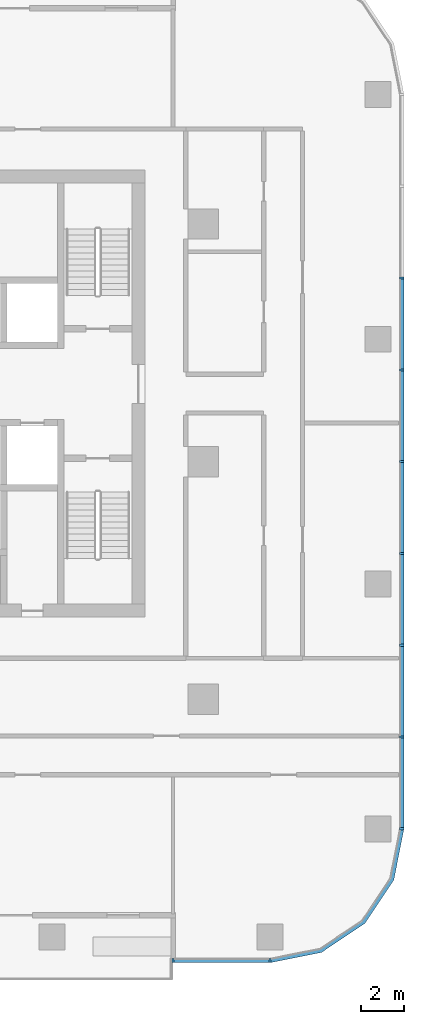
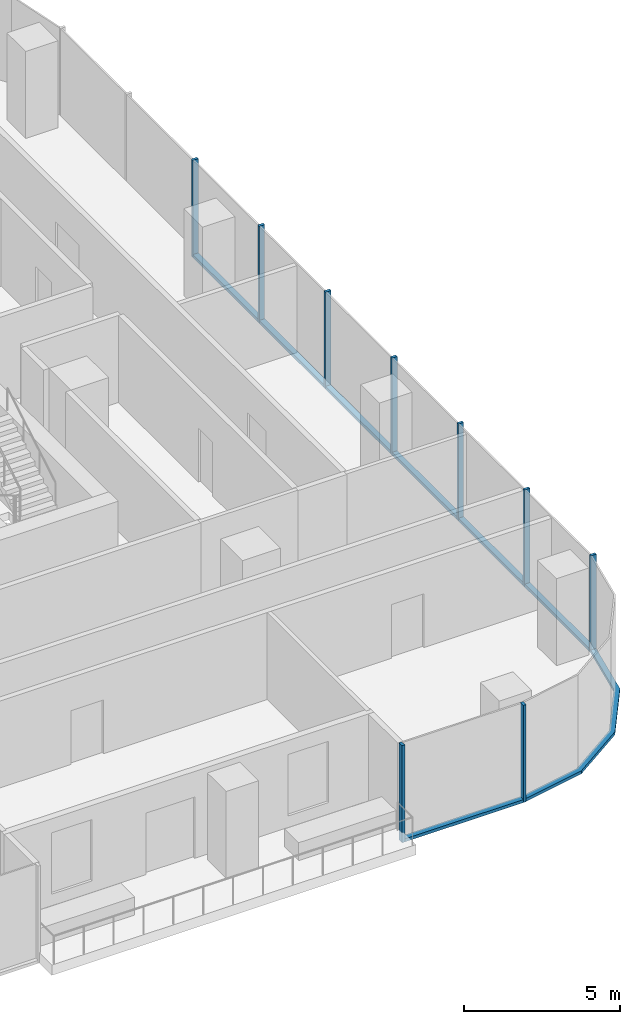
# One storey, part 3 of 14: 17 members, 3 elements without a shape of their own.
"""IFC4 building model written with IfcOpenShell, lengths in metres."""

from ifc_helpers import new_model, si_unit, direction, frame, origin, origin_2d, place, context, subcontext, project, spatial, polyline, rectangle, outline, extrude, material, material_profile, profile_set, type_object, element, aggregate, save


model = new_model("IFC4")

# Units and contexts
model_context = context("Model", 3, precision=1e-05, world=origin(), true_north=direction((0.0, 1.0)))
body_context = subcontext(model_context, "Body", "Model", "MODEL_VIEW")
ifc_project = project(units=[si_unit("LENGTHUNIT", "METRE"), si_unit("AREAUNIT", "SQUARE_METRE"), si_unit("VOLUMEUNIT", "CUBIC_METRE"), si_unit("PLANEANGLEUNIT", "RADIAN"), si_unit("MASSUNIT", "GRAM", prefix="KILO")], contexts=[model_context])

# Site, building, storey
site_placement = place(None, origin())
site = spatial("IfcSite", under=ifc_project, at=site_placement, CompositionType="ELEMENT")
building_placement = place(site_placement, origin())
building = spatial("IfcBuilding", under=site, at=building_placement, Name="Mopane Tessera Tower", CompositionType="ELEMENT")
storey_placement = place(building_placement, frame((0.0, 0.0, 201.0)))
storey = spatial("IfcBuildingStorey", under=building, at=storey_placement, Name="L42", CompositionType="ELEMENT", Elevation=201.0)

# Curtain wall, members
ifc_material_1 = material(Name="Aluminium frame", Category="aluminium")
curtain_wall_type = type_object("IfcCurtainWallType", Name="Unitised curtain wall", PredefinedType="NOTDEFINED", material=ifc_material_1)
curtain_wall_1_placement = place(storey_placement, origin())
curtain_wall_1 = element("IfcCurtainWall", 1, at=curtain_wall_1_placement, inside=storey, type_object=curtain_wall_type, Name="e:cw:L42:S:8", PredefinedType="NOTDEFINED")
ifc_material_2 = material(Name="Aluminium frame", Category="aluminium")
ifc_material_profile_1 = material_profile(ifc_material_2, rectangle(XDim=0.10009765625, YDim=0.199951171875, at=origin_2d()))
ifc_profile_set_1 = profile_set([ifc_material_profile_1], Name="Aluminium frame")
member_type_1 = type_object("IfcMemberType", Name="Aluminium mullion 100 x 200", PredefinedType="MULLION", material=ifc_profile_set_1)
member_1_placement = place(storey_placement, frame((15.711181640625, -23.10009765625, -0.39990234375), z_axis=(0.0, 0.0, 1.0), x_axis=(1.0, 0.0, 0.0)))
member_1 = element("IfcMember", 2, at=member_1_placement, type_object=member_type_1, Name="e:cw:L42:S:8:mu8", PredefinedType="MULLION", context=body_context, shape_type="SweptSolid", body=[
    extrude(rectangle(XDim=0.10009765625, YDim=0.199951171875, at=origin_2d()), origin(), (0.0, 0.0, 1.0), 3.7998046875),
])
member_2_placement = place(storey_placement, frame((20.199951171875, -23.10009765625, -0.39990234375), z_axis=(0.0, 0.0, 1.0), x_axis=(1.0, 0.0, 0.0)))
member_2 = element("IfcMember", 3, at=member_2_placement, type_object=member_type_1, Name="e:cw:L42:S:8:mu9", PredefinedType="MULLION", context=body_context, shape_type="SweptSolid", body=[
    extrude(rectangle(XDim=0.10009765625, YDim=0.199951171875, at=origin_2d()), origin(), (0.0, 0.0, 1.0), 3.7998046875),
])

curtain_wall_2_placement = place(storey_placement, origin())
curtain_wall_2 = element("IfcCurtainWall", 4, at=curtain_wall_2_placement, inside=storey, type_object=curtain_wall_type, Name="e:cw:L42:E:0", PredefinedType="NOTDEFINED")
member_3_placement = place(storey_placement, frame((26.300048828125, -17.0, -0.39990234375), z_axis=(0.0, 0.0, 1.0), x_axis=(0.0, 1.0, 0.0)))
member_3 = element("IfcMember", 5, at=member_3_placement, type_object=member_type_1, Name="e:cw:L42:E:0:mu0", PredefinedType="MULLION", context=body_context, shape_type="SweptSolid", body=[
    extrude(rectangle(XDim=0.10009765625, YDim=0.199951171875, at=origin_2d()), origin(), (0.0, 0.0, 1.0), 3.7998046875),
])
member_4_placement = place(storey_placement, frame((26.300048828125, -12.75, -0.39990234375), z_axis=(0.0, 0.0, 1.0), x_axis=(0.0, 1.0, 0.0)))
member_4 = element("IfcMember", 6, at=member_4_placement, type_object=member_type_1, Name="e:cw:L42:E:0:mu1", PredefinedType="MULLION", context=body_context, shape_type="SweptSolid", body=[
    extrude(rectangle(XDim=0.10009765625, YDim=0.199951171875, at=origin_2d()), origin(), (0.0, 0.0, 1.0), 3.7998046875),
])
member_5_placement = place(storey_placement, frame((26.300048828125, -8.5, -0.39990234375), z_axis=(0.0, 0.0, 1.0), x_axis=(0.0, 1.0, 0.0)))
member_5 = element("IfcMember", 7, at=member_5_placement, type_object=member_type_1, Name="e:cw:L42:E:0:mu2", PredefinedType="MULLION", context=body_context, shape_type="SweptSolid", body=[
    extrude(rectangle(XDim=0.10009765625, YDim=0.199951171875, at=origin_2d()), origin(), (0.0, 0.0, 1.0), 3.7998046875),
])
member_6_placement = place(storey_placement, frame((26.300048828125, -4.25, -0.39990234375), z_axis=(0.0, 0.0, 1.0), x_axis=(0.0, 1.0, 0.0)))
member_6 = element("IfcMember", 8, at=member_6_placement, type_object=member_type_1, Name="e:cw:L42:E:0:mu3", PredefinedType="MULLION", context=body_context, shape_type="SweptSolid", body=[
    extrude(rectangle(XDim=0.10009765625, YDim=0.199951171875, at=origin_2d()), origin(), (0.0, 0.0, 1.0), 3.7998046875),
])
member_7_placement = place(storey_placement, frame((26.300048828125, 0.0, -0.39990234375), z_axis=(0.0, 0.0, 1.0), x_axis=(0.0, 1.0, 0.0)))
member_7 = element("IfcMember", 9, at=member_7_placement, type_object=member_type_1, Name="e:cw:L42:E:0:mu4", PredefinedType="MULLION", context=body_context, shape_type="SweptSolid", body=[
    extrude(rectangle(XDim=0.10009765625, YDim=0.199951171875, at=origin_2d()), origin(), (0.0, 0.0, 1.0), 3.7998046875),
])
member_8_placement = place(storey_placement, frame((26.300048828125, 4.25, -0.39990234375), z_axis=(0.0, 0.0, 1.0), x_axis=(0.0, 1.0, 0.0)))
member_8 = element("IfcMember", 10, at=member_8_placement, type_object=member_type_1, Name="e:cw:L42:E:0:mu5", PredefinedType="MULLION", context=body_context, shape_type="SweptSolid", body=[
    extrude(rectangle(XDim=0.10009765625, YDim=0.199951171875, at=origin_2d()), origin(), (0.0, 0.0, 1.0), 3.7998046875),
])
member_9_placement = place(storey_placement, frame((26.300048828125, 8.5, -0.39990234375), z_axis=(0.0, 0.0, 1.0), x_axis=(0.0, 1.0, 0.0)))
member_9 = element("IfcMember", 11, at=member_9_placement, type_object=member_type_1, Name="e:cw:L42:E:0:mu6", PredefinedType="MULLION", context=body_context, shape_type="SweptSolid", body=[
    extrude(rectangle(XDim=0.10009765625, YDim=0.199951171875, at=origin_2d()), origin(), (0.0, 0.0, 1.0), 3.7998046875),
])

# Member
ifc_material_3 = material(Name="Aluminium frame", Category="aluminium")
ifc_material_profile_2 = material_profile(ifc_material_3, rectangle(XDim=0.199951171875, YDim=0.1201171875, at=origin_2d()))
ifc_profile_set_2 = profile_set([ifc_material_profile_2], Name="Aluminium frame")
member_type_2 = type_object("IfcMemberType", Name="Aluminium transom 200 x 120", PredefinedType="USERDEFINED", material=ifc_profile_set_2)
member_10_placement = place(storey_placement, frame((15.76123046875, -23.10009765625, -0.340087890625), z_axis=(1.0, 0.0, 0.0), x_axis=(0.0, 1.0, 0.0)))
member_10 = element("IfcMember", 12, at=member_10_placement, type_object=member_type_2, Name="e:cw:L42:S:8:tr8", ObjectType="TRANSOM", PredefinedType="USERDEFINED", context=body_context, shape_type="SweptSolid", body=[
    extrude(rectangle(XDim=0.199951171875, YDim=0.1201171875, at=origin_2d()), origin(), (0.0, 0.0, 1.0), 4.388671875),
])

aggregate(curtain_wall_1, [member_1, member_2, member_10])

# Curtain wall, member
curtain_wall_3_placement = place(storey_placement, origin())
curtain_wall_3 = element("IfcCurtainWall", 13, at=curtain_wall_3_placement, inside=storey, type_object=curtain_wall_type, Name="e:cw:L42:CS", PredefinedType="NOTDEFINED")
member_11_placement = place(storey_placement, frame((0.0, 0.0, -0.39990234375)))
member_11 = element("IfcMember", 14, at=member_11_placement, type_object=member_type_2, Name="e:cw:L42:CS:tr", ObjectType="TRANSOM", PredefinedType="USERDEFINED", context=body_context, shape_type="SweptSolid", body=[
    extrude(outline(polyline([(20.199951171875, -23.0), (22.49609375, -22.543212890625), (24.442626953125, -21.24267578125), (25.7431640625, -19.296142578125), (26.199951171875, -17.0), (26.39990234375, -17.0), (25.927978515625, -19.37255859375), (24.583984375, -21.384033203125), (22.57275390625, -22.72802734375), (20.199951171875, -23.199951171875), (20.199951171875, -23.0)])), origin(), (0.0, 0.0, 1.0), 0.119873046875),
])
aggregate(curtain_wall_3, [member_11])

# Member
member_12_placement = place(storey_placement, frame((26.300048828125, -16.949951171875, -0.340087890625), z_axis=(0.0, 1.0, 0.0), x_axis=(-1.0, 0.0, 0.0)))
member_12 = element("IfcMember", 15, at=member_12_placement, type_object=member_type_2, Name="e:cw:L42:E:0:tr0", ObjectType="TRANSOM", PredefinedType="USERDEFINED", context=body_context, shape_type="SweptSolid", body=[
    extrude(rectangle(XDim=0.199951171875, YDim=0.1201171875, at=origin_2d()), origin(), (0.0, 0.0, 1.0), 4.14990234375),
])

member_13_placement = place(storey_placement, frame((26.300048828125, -12.699951171875, -0.340087890625), z_axis=(0.0, 1.0, 0.0), x_axis=(-1.0, 0.0, 0.0)))
member_13 = element("IfcMember", 16, at=member_13_placement, type_object=member_type_2, Name="e:cw:L42:E:0:tr1", ObjectType="TRANSOM", PredefinedType="USERDEFINED", context=body_context, shape_type="SweptSolid", body=[
    extrude(rectangle(XDim=0.199951171875, YDim=0.1201171875, at=origin_2d()), origin(), (0.0, 0.0, 1.0), 4.14990234375),
])

member_14_placement = place(storey_placement, frame((26.300048828125, -8.449951171875, -0.340087890625), z_axis=(0.0, 1.0, 0.0), x_axis=(-1.0, 0.0, 0.0)))
member_14 = element("IfcMember", 17, at=member_14_placement, type_object=member_type_2, Name="e:cw:L42:E:0:tr2", ObjectType="TRANSOM", PredefinedType="USERDEFINED", context=body_context, shape_type="SweptSolid", body=[
    extrude(rectangle(XDim=0.199951171875, YDim=0.1201171875, at=origin_2d()), origin(), (0.0, 0.0, 1.0), 4.14990234375),
])

member_15_placement = place(storey_placement, frame((26.300048828125, -4.199951171875, -0.340087890625), z_axis=(0.0, 1.0, 0.0), x_axis=(-1.0, 0.0, 0.0)))
member_15 = element("IfcMember", 18, at=member_15_placement, type_object=member_type_2, Name="e:cw:L42:E:0:tr3", ObjectType="TRANSOM", PredefinedType="USERDEFINED", context=body_context, shape_type="SweptSolid", body=[
    extrude(rectangle(XDim=0.199951171875, YDim=0.1201171875, at=origin_2d()), origin(), (0.0, 0.0, 1.0), 4.14990234375),
])

member_16_placement = place(storey_placement, frame((26.300048828125, 0.050048828125, -0.340087890625), z_axis=(0.0, 1.0, 0.0), x_axis=(-1.0, 0.0, 0.0)))
member_16 = element("IfcMember", 19, at=member_16_placement, type_object=member_type_2, Name="e:cw:L42:E:0:tr4", ObjectType="TRANSOM", PredefinedType="USERDEFINED", context=body_context, shape_type="SweptSolid", body=[
    extrude(rectangle(XDim=0.199951171875, YDim=0.1201171875, at=origin_2d()), origin(), (0.0, 0.0, 1.0), 4.14990234375),
])

member_17_placement = place(storey_placement, frame((26.300048828125, 4.300048828125, -0.340087890625), z_axis=(0.0, 1.0, 0.0), x_axis=(-1.0, 0.0, 0.0)))
member_17 = element("IfcMember", 20, at=member_17_placement, type_object=member_type_2, Name="e:cw:L42:E:0:tr5", ObjectType="TRANSOM", PredefinedType="USERDEFINED", context=body_context, shape_type="SweptSolid", body=[
    extrude(rectangle(XDim=0.199951171875, YDim=0.1201171875, at=origin_2d()), origin(), (0.0, 0.0, 1.0), 4.14990234375),
])

aggregate(curtain_wall_2, [member_3, member_4, member_5, member_6, member_7, member_8, member_9, member_12, member_13, member_14, member_15, member_16, member_17])

save(model, "model.ifc")
